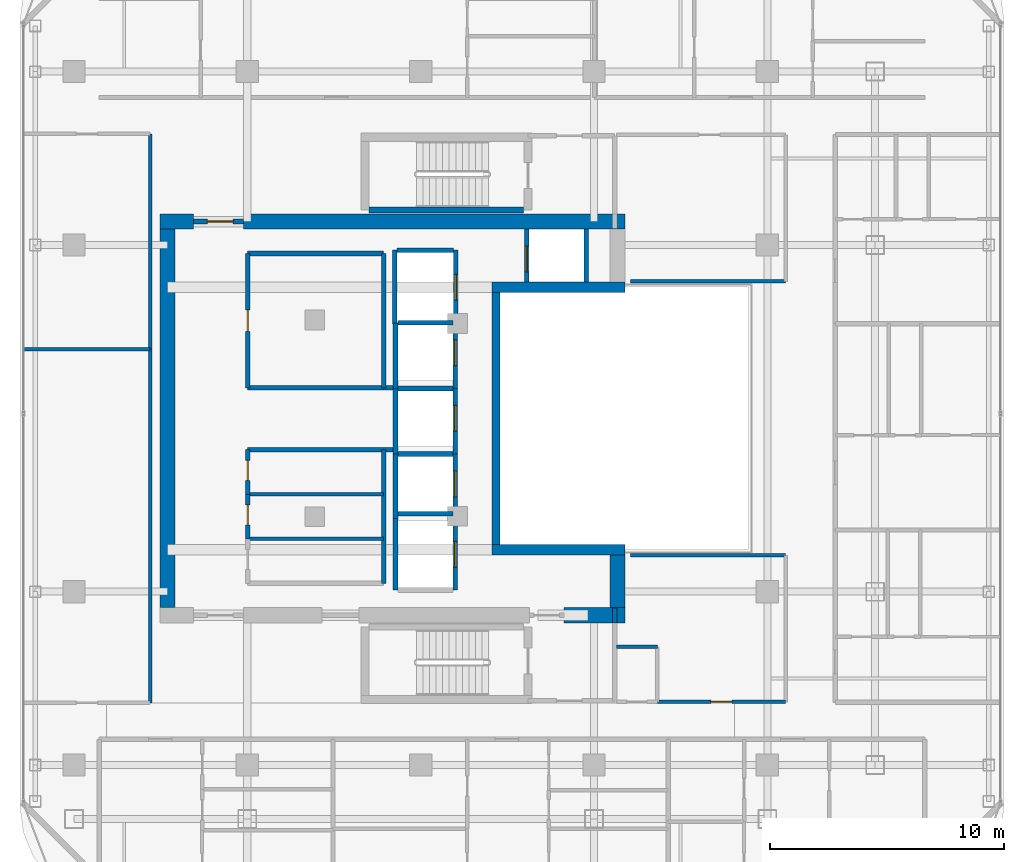
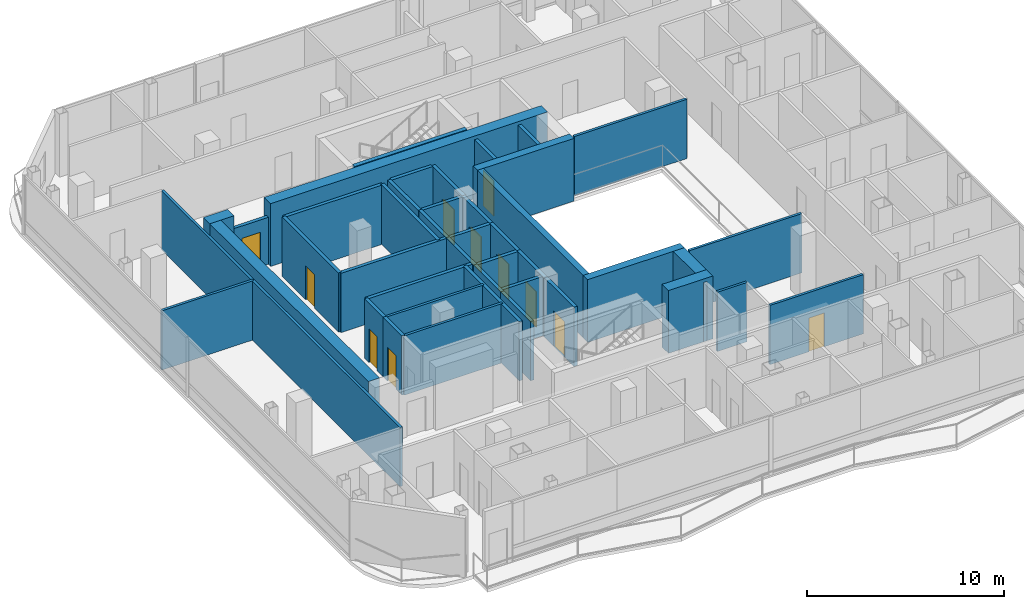
# One storey, part 18 of 24: 45 walls, 11 doors, 11 openings.
"""IFC4 building model written with IfcOpenShell, lengths in metres."""

import ifcopenshell
import ifcopenshell.guid

model = None  # the IFC model being written
_history = None  # IfcOwnerHistory: only IFC2X3 demands one
_inside = {}  # id of a spatial element -> (the spatial element, [elements in it])
_under = {}  # id of a project, library or spatial element -> (it, [spatial elements below it])
_declared = {}  # id of a project -> (the project, [libraries it declares])
_typed = {}  # id of a type object -> (the type object, [elements of that type])
_made_of = {}  # id of a material, layer set ... -> (it, [elements and type objects made of it])


def new_model(schema):
    """Start an empty IFC model of exactly this schema.

    Asked for "IFC4X3", IfcOpenShell would pick the latest addendum, in which some entities
    have other attributes; the version numbers below select the first issue.
    IFC2X3 requires an IfcOwnerHistory on every rooted entity: one is made here for all.
    """
    global model, _history
    if schema == "IFC4X3":
        model = ifcopenshell.file(schema_version=(4, 3, 0, 0))
    else:
        model = ifcopenshell.file(schema=schema)
    _inside.clear()
    _under.clear()
    _declared.clear()
    _typed.clear()
    _made_of.clear()
    _history = None
    if model.schema == "IFC2X3":
        org = make("IfcOrganization", Name="unknown")
        user = make(
            "IfcPersonAndOrganization",
            ThePerson=make("IfcPerson", FamilyName="unknown"),
            TheOrganization=org,
        )
        app = make(
            "IfcApplication",
            ApplicationDeveloper=org,
            Version="unknown",
            ApplicationFullName="unknown",
            ApplicationIdentifier="unknown",
        )
        _history = make(
            "IfcOwnerHistory",
            OwningUser=user,
            OwningApplication=app,
            ChangeAction="ADDED",
            CreationDate=0,
        )
    return model


def make(cls, **values):
    """One entity of the class cls with the attributes given. An attribute that is None is left unset."""
    return model.create_entity(
        cls, **{name: value for name, value in values.items() if value is not None}
    )


def rooted(cls, **values):
    """An entity with a GlobalId (a new one), such as an element, a storey or a relation."""
    return make(cls, GlobalId=ifcopenshell.guid.new(), OwnerHistory=_history, **values)


def si_unit(unit_type, name, prefix=None):
    """IfcSIUnit, for example si_unit("LENGTHUNIT", "METRE", prefix="MILLI")."""
    return make("IfcSIUnit", UnitType=unit_type, Prefix=prefix, Name=name)


def assignment(units):
    """IfcUnitAssignment: the units of a project."""
    return None if units is None else make("IfcUnitAssignment", Units=units)


def point(xyz):
    """IfcCartesianPoint."""
    return None if xyz is None else make("IfcCartesianPoint", Coordinates=xyz)


def direction(xyz):
    """IfcDirection."""
    return None if xyz is None else make("IfcDirection", DirectionRatios=xyz)


def frame(location, z_axis=None, x_axis=None):
    """IfcAxis2Placement3D, a coordinate frame: its origin and axes. An axis left out is left unset."""
    return make(
        "IfcAxis2Placement3D",
        Location=point(location),
        Axis=direction(z_axis),
        RefDirection=direction(x_axis),
    )


def frame_2d(location, x_axis=None):
    """IfcAxis2Placement2D, a coordinate frame in the plane: its origin and x axis."""
    return make(
        "IfcAxis2Placement2D", Location=point(location), RefDirection=direction(x_axis)
    )


def origin():
    """The frame at (0, 0, 0) with its axes left unset."""
    return frame((0.0, 0.0, 0.0))


def place(relative_to, where):
    """IfcLocalPlacement: puts the frame where relative to a parent placement (None: the world)."""
    return make(
        "IfcLocalPlacement", PlacementRelTo=relative_to, RelativePlacement=where
    )


def context(
    kind, dimensions, precision=None, world=None, true_north=None, identifier=None
):
    """IfcGeometricRepresentationContext, for example the 3D "Model" context."""
    return make(
        "IfcGeometricRepresentationContext",
        ContextIdentifier=identifier,
        ContextType=kind,
        CoordinateSpaceDimension=dimensions,
        Precision=precision,
        WorldCoordinateSystem=world,
        TrueNorth=true_north,
    )


def subcontext(parent, identifier, kind, view, scale=None):
    """IfcGeometricRepresentationSubContext, for example "Body" below "Model"."""
    return make(
        "IfcGeometricRepresentationSubContext",
        ContextIdentifier=identifier,
        ContextType=kind,
        ParentContext=parent,
        TargetScale=scale,
        TargetView=view,
    )


def project(units=None, contexts=None):
    """IfcProject with its units and contexts."""
    return rooted(
        "IfcProject",
        Name="project",
        RepresentationContexts=contexts,
        UnitsInContext=assignment(units),
    )


def spatial(cls, under=None, at=None, **own):
    """A site, building, storey or space (cls), placed at a placement, below another one or the project."""
    s = rooted(cls, ObjectPlacement=at, **own)
    if under is not None:
        _under.setdefault(under.id(), (under, []))[1].append(s)
    return s


def profile(cls, at=None, kind="AREA", **sizes):
    """A parametric profile (cls). Its sizes go by their IFC names, for example OverallWidth=200.0."""
    return make(cls, ProfileType=kind, Position=at, **sizes)


def rectangle(**sizes):
    """IfcRectangleProfileDef."""
    return profile("IfcRectangleProfileDef", **sizes)


def extrude(swept, where, along, depth):
    """IfcExtrudedAreaSolid: the profile swept, set in the frame where, extruded along a direction by depth."""
    return make(
        "IfcExtrudedAreaSolid",
        SweptArea=swept,
        Position=where,
        ExtrudedDirection=direction(along),
        Depth=depth,
    )


def shape(context_of_items, identifier, shape_type, items):
    """IfcShapeRepresentation: the items that make up one representation, for example the "Body"."""
    return make(
        "IfcShapeRepresentation",
        ContextOfItems=context_of_items,
        RepresentationIdentifier=identifier,
        RepresentationType=shape_type,
        Items=items,
    )


def material(Name=None, Category=None):
    """IfcMaterial."""
    return make("IfcMaterial", Name=Name, Category=Category)


def layer(
    of_material, thickness, ventilated=None, Name=None, Category=None, Priority=None
):
    """IfcMaterialLayer: one layer of a wall or slab, of a material (None: an air gap)."""
    return make(
        "IfcMaterialLayer",
        Material=of_material,
        LayerThickness=thickness,
        IsVentilated=ventilated,
        Name=Name,
        Category=Category,
        Priority=Priority,
    )


def layer_set(layers, Name=None):
    """IfcMaterialLayerSet."""
    return make("IfcMaterialLayerSet", MaterialLayers=layers, LayerSetName=Name)


def made_of(thing, what):
    """Note that an element or type object is made of a material, layer set ...; save() writes the relation."""
    if what is not None:
        _made_of.setdefault(what.id(), (what, []))[1].append(thing)
    return thing


def type_object(cls, material=None, **own):
    """A type object (cls), such as IfcWallType, which elements share."""
    return made_of(rooted(cls, **own), material)


def element(
    cls,
    number,
    at=None,
    inside=None,
    cuts=None,
    type_object=None,
    material=None,
    context=None,
    identifier="Body",
    shape_type=None,
    held_by="IfcProductDefinitionShape",
    body=None,
    shapes=None,
    **own,
):
    """One element of the class cls, such as IfcWall. Its Tag is "e" and its number.

    at: its placement. inside: the storey or other place that contains it. cuts: it is an
    opening in that element (IfcRelVoidsElement). A single representation is given by context,
    identifier, shape_type and body (its items); several are given by shapes. held_by: the class
    of the entity that holds the representations. save() writes the other relations.
    """
    e = rooted(cls, Tag="e%d" % number, ObjectPlacement=at, **own)
    if body is not None:
        shapes = [shape(context, identifier, shape_type, body)]
    if shapes is not None:
        e.Representation = make(held_by, Representations=shapes)
    if inside is not None:
        _inside.setdefault(inside.id(), (inside, []))[1].append(e)
    if cuts is not None:
        rooted(
            "IfcRelVoidsElement", RelatingBuildingElement=cuts, RelatedOpeningElement=e
        )
    if type_object is not None:
        _typed.setdefault(type_object.id(), (type_object, []))[1].append(e)
    return made_of(e, material)


def fill(opening, filler):
    """IfcRelFillsElement: the door or window that sits in an opening."""
    return rooted(
        "IfcRelFillsElement",
        RelatingOpeningElement=opening,
        RelatedBuildingElement=filler,
    )


def aggregate(whole, parts):
    """IfcRelAggregates: a whole, such as a stair, and the parts it consists of."""
    return rooted("IfcRelAggregates", RelatingObject=whole, RelatedObjects=parts)


def save(model, path):
    """Write the relations noted so far, then the file.

    IfcRelAggregates (storeys below a building ...), IfcRelContainedInSpatialStructure (elements
    in a storey), IfcRelDefinesByType, IfcRelAssociatesMaterial and IfcRelDeclares: one each for
    every whole, place, type object, material and project.
    """
    for whole, parts in _under.values():
        aggregate(whole, parts)
    for where, things in _inside.values():
        rooted(
            "IfcRelContainedInSpatialStructure",
            RelatedElements=things,
            RelatingStructure=where,
        )
    for kind, things in _typed.values():
        rooted("IfcRelDefinesByType", RelatedObjects=things, RelatingType=kind)
    for what, things in _made_of.values():
        rooted("IfcRelAssociatesMaterial", RelatedObjects=things, RelatingMaterial=what)
    for by, libraries in _declared.values():
        rooted("IfcRelDeclares", RelatingContext=by, RelatedDefinitions=libraries)
    model.write(path)


model = new_model("IFC4")

# Units and contexts
model_context = context("Model", 3, precision=1e-05, world=origin(), true_north=direction((0.0, 1.0)))
body_context = subcontext(model_context, "Body", "Model", "MODEL_VIEW")
ifc_project = project(units=[si_unit("LENGTHUNIT", "METRE"), si_unit("AREAUNIT", "SQUARE_METRE"), si_unit("VOLUMEUNIT", "CUBIC_METRE"), si_unit("PLANEANGLEUNIT", "RADIAN"), si_unit("MASSUNIT", "GRAM", prefix="KILO")], contexts=[model_context])

# Site, building, storey
site_placement = place(None, origin())
site = spatial("IfcSite", under=ifc_project, at=site_placement, CompositionType="ELEMENT")
building_placement = place(site_placement, origin())
building = spatial("IfcBuilding", under=site, at=building_placement, Name="Khorvyn Point Tower", CompositionType="ELEMENT")
storey_placement = place(building_placement, frame((0.0, 0.0, 266.39990234375)))
storey = spatial("IfcBuildingStorey", under=building, at=storey_placement, Name="L65", CompositionType="ELEMENT", Elevation=266.39990234375)

# Walls
ifc_material_1 = material(Name="Concrete C40/50", Category="concrete")
ifc_layer_1 = layer(ifc_material_1, 0.449951171875)
ifc_layer_set_1 = layer_set([ifc_layer_1], Name="Concrete C40/50 Core Shear Wall 450")
wall_type_1 = type_object("IfcWallType", Name="Concrete C40/50 Core Shear Wall 450", PredefinedType="SHEAR", material=ifc_layer_set_1)
for number, where, z_axis, x_axis, name in (
    (1, (3.044921875, -5.60009765625, 0.0), (0.0, 0.0, 1.0), (1.0, 0.0, 0.0), "Wall"),
    (2, (3.044921875, 5.60009765625, 0.0), (0.0, 0.0, 1.0), (1.0, 0.0, 0.0), "Wall"),
):
    element("IfcWall", number, at=place(storey_placement, frame(where, z_axis=z_axis, x_axis=x_axis)), inside=storey, type_object=wall_type_1, Name=name, PredefinedType="SHEAR", context=body_context, shape_type="SweptSolid", body=[
        extrude(rectangle(XDim=5.68017578125, YDim=0.449951171875, at=frame_2d((2.840087890625, 0.0))), origin(), (0.0, 0.0, 1.0), 3.900146484375),
    ])
ifc_layer_2 = layer(ifc_material_1, 0.64990234375)
ifc_layer_set_2 = layer_set([ifc_layer_2], Name="Concrete C40/50 Core Shear Wall 650")
wall_type_2 = type_object("IfcWallType", Name="Concrete C40/50 Core Shear Wall 650", PredefinedType="SHEAR", material=ifc_layer_set_2)
wall_1_placement = place(storey_placement, frame((6.1201171875, -8.39990234375, 0.0), z_axis=(0.0, 0.0, 1.0), x_axis=(1.0, 0.0, 0.0)))
element("IfcWall", 3, at=wall_1_placement, inside=storey, type_object=wall_type_2, Name="Wall", PredefinedType="SHEAR", context=body_context, shape_type="SweptSolid", body=[
    extrude(rectangle(XDim=2.60498046875, YDim=0.64990234375, at=frame_2d((1.302490234375, 0.0))), origin(), (0.0, 0.0, 1.0), 3.900146484375),
])
wall_2_placement = place(storey_placement, frame((-11.125, 8.39990234375, 0.0), z_axis=(0.0, 0.0, 1.0), x_axis=(1.0, 0.0, 0.0)))
element("IfcWall", 4, at=wall_2_placement, inside=storey, type_object=wall_type_2, Name="Wall", PredefinedType="SHEAR", context=body_context, shape_type="SweptSolid", body=[
    extrude(rectangle(XDim=1.425048828125, YDim=0.64990234375, at=frame_2d((0.71240234375, 0.0))), origin(), (0.0, 0.0, 1.0), 3.900146484375),
])
wall_3_placement = place(storey_placement, frame((-7.550048828125, 8.39990234375, 0.0), z_axis=(0.0, 0.0, 1.0), x_axis=(1.0, 0.0, 0.0)))
element("IfcWall", 5, at=wall_3_placement, inside=storey, type_object=wall_type_2, Name="Wall", PredefinedType="SHEAR", context=body_context, shape_type="SweptSolid", body=[
    extrude(rectangle(XDim=16.275146484375, YDim=0.64990234375, at=frame_2d((8.1376953125, 0.0))), origin(), (0.0, 0.0, 1.0), 3.900146484375),
])
wall_4_placement = place(storey_placement, frame((-10.800048828125, -8.074951171875, 0.0), z_axis=(0.0, 0.0, 1.0), x_axis=(0.0, 1.0, 0.0)))
element("IfcWall", 6, at=wall_4_placement, inside=storey, type_object=wall_type_2, Name="Wall", PredefinedType="SHEAR", context=body_context, shape_type="SweptSolid", body=[
    extrude(rectangle(XDim=16.14990234375, YDim=0.64990234375, at=frame_2d((8.074951171875, 0.0))), origin(), (0.0, 0.0, 1.0), 3.900146484375),
])
wall_5_placement = place(storey_placement, frame((8.39990234375, -8.074951171875, 0.0), z_axis=(0.0, 0.0, 1.0), x_axis=(0.0, 1.0, 0.0)))
element("IfcWall", 7, at=wall_5_placement, inside=storey, type_object=wall_type_2, Name="Wall", PredefinedType="SHEAR", context=body_context, shape_type="SweptSolid", body=[
    extrude(rectangle(XDim=2.25, YDim=0.64990234375, at=frame_2d((1.125, 0.0))), origin(), (0.0, 0.0, 1.0), 3.900146484375),
])

# Wall, opening, door
ifc_layer_3 = layer(ifc_material_1, 0.199951171875)
ifc_layer_set_3 = layer_set([ifc_layer_3], Name="Concrete C40/50 Fire-Lobby Compartment Wall 200")
wall_type_3 = type_object("IfcWallType", Name="Concrete C40/50 Fire-Lobby Compartment Wall 200", PredefinedType="SOLIDWALL", material=ifc_layer_set_3)
wall_6_placement = place(storey_placement, frame((-9.699951171875, 8.39990234375, 0.0), z_axis=(0.0, 0.0, 1.0), x_axis=(1.0, 0.0, 0.0)))
wall_6 = element("IfcWall", 8, at=wall_6_placement, inside=storey, type_object=wall_type_3, Name="Wall", PredefinedType="SOLIDWALL", context=body_context, shape_type="SweptSolid", body=[
    extrude(rectangle(XDim=2.14990234375, YDim=0.199951171875, at=frame_2d((1.074951171875, 0.0))), origin(), (0.0, 0.0, 1.0), 2.920166015625),
])
opening_1_placement = place(wall_6_placement, frame((0.597900390625, 0.0, 0.0)))
opening_1 = element("IfcOpeningElement", 9, at=opening_1_placement, cuts=wall_6, Name="Opening ID-FL90", PredefinedType="OPENING", context=body_context, shape_type="SweptSolid", body=[
    extrude(rectangle(XDim=1.10009765625, YDim=2.14990234375, at=frame_2d((0.550048828125, 1.074951171875))), frame((0.0, 0.10986328125, 0.0), z_axis=(0.0, -1.0, 0.0), x_axis=(1.0, 0.0, 0.0)), (0.0, 0.0, 1.0), 0.219970703125),
])
ifc_material_2 = material(Name="Galvanised powder-coated steel", Category="steel")
door_type_1 = type_object("IfcDoorType", Name="Fire-Rated Steel Lobby and Stair Door 1100x2150", OperationType="NOTDEFINED", PredefinedType="DOOR", material=ifc_material_2)
door_1_placement = place(opening_1_placement, origin())
door_1 = element("IfcDoor", 10, at=door_1_placement, inside=storey, type_object=door_type_1, Name="Door", OperationType="SINGLE_SWING_LEFT", OverallHeight=2.14990234375, OverallWidth=1.10009765625, PredefinedType="DOOR", context=body_context, shape_type="SweptSolid", body=[
    extrude(rectangle(XDim=1.10009765625, YDim=2.14990234375, at=frame_2d((0.550048828125, 1.074951171875))), frame((0.0, 0.02490234375, 0.0), z_axis=(0.0, -1.0, 0.0), x_axis=(1.0, 0.0, 0.0)), (0.0, 0.0, 1.0), 0.050048828125),
])
fill(opening_1, door_1)

wall_7_placement = place(storey_placement, frame((-7.3798828125, -5.139892578125, 0.0), z_axis=(0.0, 0.0, 1.0), x_axis=(0.0, 1.0, 0.0)))
wall_7 = element("IfcWall", 11, at=wall_7_placement, inside=storey, type_object=wall_type_3, Name="Wall", PredefinedType="SOLIDWALL", context=body_context, shape_type="SweptSolid", body=[
    extrude(rectangle(XDim=1.89990234375, YDim=0.199951171875, at=frame_2d((0.949951171875, 0.0))), origin(), (0.0, 0.0, 1.0), 3.68017578125),
])
opening_2_placement = place(wall_7_placement, frame((0.597900390625, 0.0, 0.0)))
opening_2 = element("IfcOpeningElement", 12, at=opening_2_placement, cuts=wall_7, Name="Opening ID-WC85", PredefinedType="OPENING", context=body_context, shape_type="SweptSolid", body=[
    extrude(rectangle(XDim=0.85009765625, YDim=2.10009765625, at=frame_2d((0.425048828125, 1.050048828125))), frame((0.0, 0.10986328125, 0.0), z_axis=(0.0, -1.0, 0.0), x_axis=(1.0, 0.0, 0.0)), (0.0, 0.0, 1.0), 0.219970703125),
])
ifc_material_3 = material(Name="High-pressure laminate on moisture-resistant core", Category="wood")
door_type_2 = type_object("IfcDoorType", Name="Moisture-Resistant Accessible Washroom Door 850x2100", OperationType="NOTDEFINED", PredefinedType="DOOR", material=ifc_material_3)
door_2_placement = place(opening_2_placement, origin())
door_2 = element("IfcDoor", 13, at=door_2_placement, inside=storey, type_object=door_type_2, Name="Door", OperationType="SINGLE_SWING_LEFT", OverallHeight=2.10009765625, OverallWidth=0.85009765625, PredefinedType="DOOR", context=body_context, shape_type="SweptSolid", body=[
    extrude(rectangle(XDim=0.85009765625, YDim=2.10009765625, at=frame_2d((0.425048828125, 1.050048828125))), frame((0.0, 0.02490234375, 0.0), z_axis=(0.0, -1.0, 0.0), x_axis=(1.0, 0.0, 0.0)), (0.0, 0.0, 1.0), 0.050048828125),
])
fill(opening_2, door_2)

wall_8_placement = place(storey_placement, frame((-7.3798828125, -3.239990234375, 0.0), z_axis=(0.0, 0.0, 1.0), x_axis=(0.0, 1.0, 0.0)))
wall_8 = element("IfcWall", 14, at=wall_8_placement, inside=storey, type_object=wall_type_3, Name="Wall", PredefinedType="SOLIDWALL", context=body_context, shape_type="SweptSolid", body=[
    extrude(rectangle(XDim=1.89990234375, YDim=0.199951171875, at=frame_2d((0.949951171875, 0.0))), origin(), (0.0, 0.0, 1.0), 3.68017578125),
])
opening_3_placement = place(wall_8_placement, frame((0.597900390625, 0.0, 0.0)))
opening_3 = element("IfcOpeningElement", 15, at=opening_3_placement, cuts=wall_8, Name="Opening ID-WC85", PredefinedType="OPENING", context=body_context, shape_type="SweptSolid", body=[
    extrude(rectangle(XDim=0.85009765625, YDim=2.10009765625, at=frame_2d((0.425048828125, 1.050048828125))), frame((0.0, 0.10986328125, 0.0), z_axis=(0.0, -1.0, 0.0), x_axis=(1.0, 0.0, 0.0)), (0.0, 0.0, 1.0), 0.219970703125),
])
door_3_placement = place(opening_3_placement, origin())
door_3 = element("IfcDoor", 16, at=door_3_placement, inside=storey, type_object=door_type_2, Name="Door", OperationType="SINGLE_SWING_RIGHT", OverallHeight=2.10009765625, OverallWidth=0.85009765625, PredefinedType="DOOR", context=body_context, shape_type="SweptSolid", body=[
    extrude(rectangle(XDim=0.85009765625, YDim=2.10009765625, at=frame_2d((0.425048828125, 1.050048828125))), frame((0.0, 0.02490234375, 0.0), z_axis=(0.0, -1.0, 0.0), x_axis=(1.0, 0.0, 0.0)), (0.0, 0.0, 1.0), 0.050048828125),
])
fill(opening_3, door_3)

wall_9_placement = place(storey_placement, frame((-7.3798828125, 1.300048828125, 0.0), z_axis=(0.0, 0.0, 1.0), x_axis=(0.0, 1.0, 0.0)))
wall_9 = element("IfcWall", 17, at=wall_9_placement, inside=storey, type_object=wall_type_3, Name="Wall", PredefinedType="SOLIDWALL", context=body_context, shape_type="SweptSolid", body=[
    extrude(rectangle(XDim=5.739990234375, YDim=0.199951171875, at=frame_2d((2.8701171875, 0.0))), origin(), (0.0, 0.0, 1.0), 3.68017578125),
])
opening_4_placement = place(wall_9_placement, frame((2.409912109375, 0.0, 0.0)))
opening_4 = element("IfcOpeningElement", 18, at=opening_4_placement, cuts=wall_9, Name="Opening ID-RS60", PredefinedType="OPENING", context=body_context, shape_type="SweptSolid", body=[
    extrude(rectangle(XDim=0.919921875, YDim=2.10009765625, at=frame_2d((0.4599609375, 1.050048828125))), frame((0.0, 0.10986328125, 0.0), z_axis=(0.0, -1.0, 0.0), x_axis=(1.0, 0.0, 0.0)), (0.0, 0.0, 1.0), 0.219970703125),
])
door_type_3 = type_object("IfcDoorType", Name="Fire-Rated Riser and Store Steel Door 920x2100", OperationType="NOTDEFINED", PredefinedType="DOOR", material=ifc_material_2)
door_4_placement = place(opening_4_placement, origin())
door_4 = element("IfcDoor", 19, at=door_4_placement, inside=storey, type_object=door_type_3, Name="Door", OperationType="SINGLE_SWING_LEFT", OverallHeight=2.10009765625, OverallWidth=0.919921875, PredefinedType="DOOR", context=body_context, shape_type="SweptSolid", body=[
    extrude(rectangle(XDim=0.919921875, YDim=2.10009765625, at=frame_2d((0.4599609375, 1.050048828125))), frame((0.0, 0.02490234375, 0.0), z_axis=(0.0, -1.0, 0.0), x_axis=(1.0, 0.0, 0.0)), (0.0, 0.0, 1.0), 0.050048828125),
])
fill(opening_4, door_4)

# Walls
for number, where, z_axis, x_axis, name in (
    (20, (-7.3798828125, -1.340087890625, 0.0), (0.0, 0.0, 1.0), (1.0, 0.0, 0.0), "Wall"),
    (21, (-7.3798828125, 1.300048828125, 0.0), (0.0, 0.0, 1.0), (1.0, 0.0, 0.0), "Wall"),
):
    element("IfcWall", number, at=place(storey_placement, frame(where, z_axis=z_axis, x_axis=x_axis)), inside=storey, type_object=wall_type_3, Name=name, PredefinedType="SOLIDWALL", context=body_context, shape_type="SweptSolid", body=[
        extrude(rectangle(XDim=6.239990234375, YDim=0.199951171875, at=frame_2d((3.1201171875, 0.0))), origin(), (0.0, 0.0, 1.0), 3.68017578125),
    ])
wall_10_placement = place(storey_placement, frame((-1.580078125, -7.0400390625, 0.0), z_axis=(0.0, 0.0, 1.0), x_axis=(0.0, 1.0, 0.0)))
element("IfcWall", 22, at=wall_10_placement, inside=storey, type_object=wall_type_3, Name="Wall", PredefinedType="SOLIDWALL", context=body_context, shape_type="SweptSolid", body=[
    extrude(rectangle(XDim=5.699951171875, YDim=0.199951171875, at=frame_2d((2.85009765625, 0.0))), origin(), (0.0, 0.0, 1.0), 3.68017578125),
])
wall_11_placement = place(storey_placement, frame((-1.580078125, 1.300048828125, 0.0), z_axis=(0.0, 0.0, 1.0), x_axis=(0.0, 1.0, 0.0)))
element("IfcWall", 23, at=wall_11_placement, inside=storey, type_object=wall_type_3, Name="Wall", PredefinedType="SOLIDWALL", context=body_context, shape_type="SweptSolid", body=[
    extrude(rectangle(XDim=5.739990234375, YDim=0.199951171875, at=frame_2d((2.8701171875, 0.0))), origin(), (0.0, 0.0, 1.0), 3.68017578125),
])
wall_12_placement = place(storey_placement, frame((-7.3798828125, 7.0400390625, 0.0), z_axis=(0.0, 0.0, 1.0), x_axis=(1.0, 0.0, 0.0)))
element("IfcWall", 24, at=wall_12_placement, inside=storey, type_object=wall_type_3, Name="Wall", PredefinedType="SOLIDWALL", context=body_context, shape_type="SweptSolid", body=[
    extrude(rectangle(XDim=5.7998046875, YDim=0.199951171875, at=frame_2d((2.89990234375, 0.0))), origin(), (0.0, 0.0, 1.0), 3.68017578125),
])
wall_13_placement = place(storey_placement, frame((8.280029296875, -8.72509765625, 0.0), z_axis=(0.0, 0.0, 1.0), x_axis=(0.0, 1.0, 0.0)))
element("IfcWall", 25, at=wall_13_placement, inside=storey, type_object=wall_type_3, Name="Wall", PredefinedType="SOLIDWALL", context=body_context, shape_type="SweptSolid", body=[
    extrude(rectangle(XDim=0.625, YDim=0.199951171875, at=frame_2d((0.3125, 0.0))), origin(), (0.0, 0.0, 1.0), 3.68017578125),
])
ifc_layer_4 = layer(ifc_material_1, 0.25)
ifc_layer_set_4 = layer_set([ifc_layer_4], Name="Concrete C40/50 Stair Inner Cheek Structural Wall 250")
wall_type_4 = type_object("IfcWallType", Name="Concrete C40/50 Stair Inner Cheek Structural Wall 250", PredefinedType="SHEAR", material=ifc_layer_set_4)
wall_14_placement = place(storey_placement, frame((-2.199951171875, 8.89990234375, 0.0), z_axis=(0.0, 0.0, 1.0), x_axis=(1.0, 0.0, 0.0)))
element("IfcWall", 26, at=wall_14_placement, inside=storey, type_object=wall_type_4, Name="Wall", PredefinedType="SHEAR", context=body_context, shape_type="SweptSolid", body=[
    extrude(rectangle(XDim=6.599853515625, YDim=0.25, at=frame_2d((3.2998046875, 0.0))), origin(), (0.0, 0.0, 1.0), 3.900146484375),
])
ifc_layer_5 = layer(ifc_material_1, 0.35009765625)
ifc_layer_set_5 = layer_set([ifc_layer_5], Name="Concrete C40/50 Stair Shaft Structural Wall 350")
wall_type_5 = type_object("IfcWallType", Name="Concrete C40/50 Stair Shaft Structural Wall 350", PredefinedType="SHEAR", material=ifc_layer_set_5)
wall_15_placement = place(storey_placement, frame((3.219970703125, -5.375, 0.0), z_axis=(0.0, 0.0, 1.0), x_axis=(0.0, 1.0, 0.0)))
element("IfcWall", 27, at=wall_15_placement, inside=storey, type_object=wall_type_5, Name="Wall", PredefinedType="SHEAR", context=body_context, shape_type="SweptSolid", body=[
    extrude(rectangle(XDim=10.75, YDim=0.35009765625, at=frame_2d((5.375, 0.0))), origin(), (0.0, 0.0, 1.0), 3.900146484375),
])
ifc_layer_6 = layer(ifc_material_1, 0.199951171875)
ifc_layer_set_6 = layer_set([ifc_layer_6], Name="Concrete C40/50 Structural Hoistway and Stair Shaft Wall 200")
wall_type_6 = type_object("IfcWallType", Name="Concrete C40/50 Structural Hoistway and Stair Shaft Wall 200", PredefinedType="SHEAR", material=ifc_layer_set_6)
wall_16_placement = place(storey_placement, frame((-1.074951171875, -4.27490234375, 0.0), z_axis=(0.0, 0.0, 1.0), x_axis=(0.0, 1.0, 0.0)))
element("IfcWall", 28, at=wall_16_placement, inside=storey, type_object=wall_type_6, Name="Wall", PredefinedType="SHEAR", context=body_context, shape_type="SweptSolid", body=[
    extrude(rectangle(XDim=2.75, YDim=0.199951171875, at=frame_2d((1.375, 0.0))), origin(), (0.0, 0.0, 1.0), 3.68017578125),
])

# Wall, opening, door
wall_17_placement = place(storey_placement, frame((1.47509765625, -4.27490234375, 0.0), z_axis=(0.0, 0.0, 1.0), x_axis=(0.0, 1.0, 0.0)))
wall_17 = element("IfcWall", 29, at=wall_17_placement, inside=storey, type_object=wall_type_6, Name="Wall", PredefinedType="SHEAR", context=body_context, shape_type="SweptSolid", body=[
    extrude(rectangle(XDim=2.75, YDim=0.199951171875, at=frame_2d((1.375, 0.0))), origin(), (0.0, 0.0, 1.0), 3.68017578125),
])
opening_5_placement = place(wall_17_placement, frame((0.925048828125, 0.0, 0.0)))
opening_5 = element("IfcOpeningElement", 30, at=opening_5_placement, cuts=wall_17, Name="Opening LD-1122", PredefinedType="OPENING", context=body_context, shape_type="SweptSolid", body=[
    extrude(rectangle(XDim=1.10009765625, YDim=2.199951171875, at=frame_2d((0.550048828125, 1.10009765625))), frame((0.0, 0.10986328125, 0.0), z_axis=(0.0, -1.0, 0.0), x_axis=(1.0, 0.0, 0.0)), (0.0, 0.0, 1.0), 0.219970703125),
])
ifc_material_4 = material(Name="Stainless steel 1.4301", Category="steel")
door_type_4 = type_object("IfcDoorType", Name="Stainless Steel Automatic Sliding Lift Landing Door 1100x2200", OperationType="SLIDING_TO_LEFT", PredefinedType="DOOR", material=ifc_material_4)
door_5_placement = place(opening_5_placement, origin())
door_5 = element("IfcDoor", 31, at=door_5_placement, inside=storey, type_object=door_type_4, Name="L65 RH-01 Sliding Lift Landing Door", OperationType="SLIDING_TO_LEFT", OverallHeight=2.199951171875, OverallWidth=1.10009765625, PredefinedType="DOOR", context=body_context, shape_type="SweptSolid", body=[
    extrude(rectangle(XDim=1.10009765625, YDim=2.199951171875, at=frame_2d((0.550048828125, 1.10009765625))), frame((0.0, 0.02490234375, 0.0), z_axis=(0.0, -1.0, 0.0), x_axis=(1.0, 0.0, 0.0)), (0.0, 0.0, 1.0), 0.050048828125),
])
fill(opening_5, door_5)

# Walls
for number, where, z_axis, x_axis, name in (
    (32, (-0.97509765625, -4.074951171875, 0.0), (0.0, 0.0, 1.0), (1.0, 0.0, 0.0), "Wall"),
    (33, (-0.97509765625, -1.52490234375, 0.0), (0.0, 0.0, 1.0), (1.0, 0.0, 0.0), "Wall"),
):
    element("IfcWall", number, at=place(storey_placement, frame(where, z_axis=z_axis, x_axis=x_axis)), inside=storey, type_object=wall_type_6, Name=name, PredefinedType="SHEAR", context=body_context, shape_type="SweptSolid", body=[
        extrude(rectangle(XDim=2.35009765625, YDim=0.199951171875, at=frame_2d((1.175048828125, 0.0))), origin(), (0.0, 0.0, 1.0), 3.68017578125),
    ])
wall_18_placement = place(storey_placement, frame((-1.074951171875, -1.52490234375, 0.0), z_axis=(0.0, 0.0, 1.0), x_axis=(0.0, 1.0, 0.0)))
element("IfcWall", 34, at=wall_18_placement, inside=storey, type_object=wall_type_6, Name="Wall", PredefinedType="SHEAR", context=body_context, shape_type="SweptSolid", body=[
    extrude(rectangle(XDim=2.7998046875, YDim=0.199951171875, at=frame_2d((1.39990234375, 0.0))), origin(), (0.0, 0.0, 1.0), 3.68017578125),
])

# Wall, opening, door
wall_19_placement = place(storey_placement, frame((1.47509765625, -1.52490234375, 0.0), z_axis=(0.0, 0.0, 1.0), x_axis=(0.0, 1.0, 0.0)))
wall_19 = element("IfcWall", 35, at=wall_19_placement, inside=storey, type_object=wall_type_6, Name="Wall", PredefinedType="SHEAR", context=body_context, shape_type="SweptSolid", body=[
    extrude(rectangle(XDim=2.7998046875, YDim=0.199951171875, at=frame_2d((1.39990234375, 0.0))), origin(), (0.0, 0.0, 1.0), 3.68017578125),
])
opening_6_placement = place(wall_19_placement, frame((0.97509765625, 0.0, 0.0)))
opening_6 = element("IfcOpeningElement", 36, at=opening_6_placement, cuts=wall_19, Name="Opening LD-1122", PredefinedType="OPENING", context=body_context, shape_type="SweptSolid", body=[
    extrude(rectangle(XDim=1.10009765625, YDim=2.199951171875, at=frame_2d((0.550048828125, 1.10009765625))), frame((0.0, 0.10986328125, 0.0), z_axis=(0.0, -1.0, 0.0), x_axis=(1.0, 0.0, 0.0)), (0.0, 0.0, 1.0), 0.219970703125),
])
door_6_placement = place(opening_6_placement, origin())
door_6 = element("IfcDoor", 37, at=door_6_placement, inside=storey, type_object=door_type_4, Name="L65 RH-02 Sliding Lift Landing Door", OperationType="SLIDING_TO_LEFT", OverallHeight=2.199951171875, OverallWidth=1.10009765625, PredefinedType="DOOR", context=body_context, shape_type="SweptSolid", body=[
    extrude(rectangle(XDim=1.10009765625, YDim=2.199951171875, at=frame_2d((0.550048828125, 1.10009765625))), frame((0.0, 0.02490234375, 0.0), z_axis=(0.0, -1.0, 0.0), x_axis=(1.0, 0.0, 0.0)), (0.0, 0.0, 1.0), 0.050048828125),
])
fill(opening_6, door_6)

# Walls
wall_20_placement = place(storey_placement, frame((-0.97509765625, 1.27490234375, 0.0), z_axis=(0.0, 0.0, 1.0), x_axis=(1.0, 0.0, 0.0)))
element("IfcWall", 38, at=wall_20_placement, inside=storey, type_object=wall_type_6, Name="Wall", PredefinedType="SHEAR", context=body_context, shape_type="SweptSolid", body=[
    extrude(rectangle(XDim=2.35009765625, YDim=0.199951171875, at=frame_2d((1.175048828125, 0.0))), origin(), (0.0, 0.0, 1.0), 3.68017578125),
])
wall_21_placement = place(storey_placement, frame((-1.074951171875, 1.27490234375, 0.0), z_axis=(0.0, 0.0, 1.0), x_axis=(0.0, 1.0, 0.0)))
element("IfcWall", 39, at=wall_21_placement, inside=storey, type_object=wall_type_6, Name="Wall", PredefinedType="SHEAR", context=body_context, shape_type="SweptSolid", body=[
    extrude(rectangle(XDim=2.800048828125, YDim=0.199951171875, at=frame_2d((1.39990234375, 0.0))), origin(), (0.0, 0.0, 1.0), 3.68017578125),
])

# Wall, opening, door
wall_22_placement = place(storey_placement, frame((1.47509765625, 1.27490234375, 0.0), z_axis=(0.0, 0.0, 1.0), x_axis=(0.0, 1.0, 0.0)))
wall_22 = element("IfcWall", 40, at=wall_22_placement, inside=storey, type_object=wall_type_6, Name="Wall", PredefinedType="SHEAR", context=body_context, shape_type="SweptSolid", body=[
    extrude(rectangle(XDim=2.800048828125, YDim=0.199951171875, at=frame_2d((1.39990234375, 0.0))), origin(), (0.0, 0.0, 1.0), 3.68017578125),
])
opening_7_placement = place(wall_22_placement, frame((0.97509765625, 0.0, 0.0)))
opening_7 = element("IfcOpeningElement", 41, at=opening_7_placement, cuts=wall_22, Name="Opening LD-1122", PredefinedType="OPENING", context=body_context, shape_type="SweptSolid", body=[
    extrude(rectangle(XDim=1.10009765625, YDim=2.199951171875, at=frame_2d((0.550048828125, 1.10009765625))), frame((0.0, 0.10986328125, 0.0), z_axis=(0.0, -1.0, 0.0), x_axis=(1.0, 0.0, 0.0)), (0.0, 0.0, 1.0), 0.219970703125),
])
door_7_placement = place(opening_7_placement, origin())
door_7 = element("IfcDoor", 42, at=door_7_placement, inside=storey, type_object=door_type_4, Name="L65 RH-03 Sliding Lift Landing Door", OperationType="SLIDING_TO_LEFT", OverallHeight=2.199951171875, OverallWidth=1.10009765625, PredefinedType="DOOR", context=body_context, shape_type="SweptSolid", body=[
    extrude(rectangle(XDim=1.10009765625, YDim=2.199951171875, at=frame_2d((0.550048828125, 1.10009765625))), frame((0.0, 0.02490234375, 0.0), z_axis=(0.0, -1.0, 0.0), x_axis=(1.0, 0.0, 0.0)), (0.0, 0.0, 1.0), 0.050048828125),
])
fill(opening_7, door_7)

# Walls
wall_23_placement = place(storey_placement, frame((-0.97509765625, 4.074951171875, 0.0), z_axis=(0.0, 0.0, 1.0), x_axis=(1.0, 0.0, 0.0)))
element("IfcWall", 43, at=wall_23_placement, inside=storey, type_object=wall_type_6, Name="Wall", PredefinedType="SHEAR", context=body_context, shape_type="SweptSolid", body=[
    extrude(rectangle(XDim=2.35009765625, YDim=0.199951171875, at=frame_2d((1.175048828125, 0.0))), origin(), (0.0, 0.0, 1.0), 3.68017578125),
])
wall_24_placement = place(storey_placement, frame((-1.10009765625, 4.02490234375, 0.0), z_axis=(0.0, 0.0, 1.0), x_axis=(0.0, 1.0, 0.0)))
element("IfcWall", 44, at=wall_24_placement, inside=storey, type_object=wall_type_6, Name="Wall", PredefinedType="SHEAR", context=body_context, shape_type="SweptSolid", body=[
    extrude(rectangle(XDim=3.150146484375, YDim=0.199951171875, at=frame_2d((1.5751953125, 0.0))), origin(), (0.0, 0.0, 1.0), 3.68017578125),
])

# Wall, opening, door
wall_25_placement = place(storey_placement, frame((1.5, 4.02490234375, 0.0), z_axis=(0.0, 0.0, 1.0), x_axis=(0.0, 1.0, 0.0)))
wall_25 = element("IfcWall", 45, at=wall_25_placement, inside=storey, type_object=wall_type_6, Name="Wall", PredefinedType="SHEAR", context=body_context, shape_type="SweptSolid", body=[
    extrude(rectangle(XDim=3.150146484375, YDim=0.199951171875, at=frame_2d((1.5751953125, 0.0))), origin(), (0.0, 0.0, 1.0), 3.68017578125),
])
opening_8_placement = place(wall_25_placement, frame((1.02490234375, 0.0, 0.0)))
opening_8 = element("IfcOpeningElement", 46, at=opening_8_placement, cuts=wall_25, Name="Opening LD-1122", PredefinedType="OPENING", context=body_context, shape_type="SweptSolid", body=[
    extrude(rectangle(XDim=1.10009765625, YDim=2.199951171875, at=frame_2d((0.550048828125, 1.10009765625))), frame((0.0, 0.10986328125, 0.0), z_axis=(0.0, -1.0, 0.0), x_axis=(1.0, 0.0, 0.0)), (0.0, 0.0, 1.0), 0.219970703125),
])
door_8_placement = place(opening_8_placement, origin())
door_8 = element("IfcDoor", 47, at=door_8_placement, inside=storey, type_object=door_type_4, Name="L65 SV-01 Sliding Lift Landing Door", OperationType="SLIDING_TO_LEFT", OverallHeight=2.199951171875, OverallWidth=1.10009765625, PredefinedType="DOOR", context=body_context, shape_type="SweptSolid", body=[
    extrude(rectangle(XDim=1.10009765625, YDim=2.199951171875, at=frame_2d((0.550048828125, 1.10009765625))), frame((0.0, 0.02490234375, 0.0), z_axis=(0.0, -1.0, 0.0), x_axis=(1.0, 0.0, 0.0)), (0.0, 0.0, 1.0), 0.050048828125),
])
fill(opening_8, door_8)

# Walls
wall_26_placement = place(storey_placement, frame((-1.0, 7.175048828125, 0.0), z_axis=(0.0, 0.0, 1.0), x_axis=(1.0, 0.0, 0.0)))
element("IfcWall", 48, at=wall_26_placement, inside=storey, type_object=wall_type_6, Name="Wall", PredefinedType="SHEAR", context=body_context, shape_type="SweptSolid", body=[
    extrude(rectangle(XDim=2.39990234375, YDim=0.199951171875, at=frame_2d((1.199951171875, 0.0))), origin(), (0.0, 0.0, 1.0), 3.68017578125),
])
wall_27_placement = place(storey_placement, frame((-1.074951171875, -7.324951171875, 0.0), z_axis=(0.0, 0.0, 1.0), x_axis=(0.0, 1.0, 0.0)))
element("IfcWall", 49, at=wall_27_placement, inside=storey, type_object=wall_type_6, Name="Wall", PredefinedType="SHEAR", context=body_context, shape_type="SweptSolid", body=[
    extrude(rectangle(XDim=3.050048828125, YDim=0.199951171875, at=frame_2d((1.52490234375, 0.0))), origin(), (0.0, 0.0, 1.0), 3.68017578125),
])

# Wall, opening, door
wall_28_placement = place(storey_placement, frame((1.47509765625, -7.324951171875, 0.0), z_axis=(0.0, 0.0, 1.0), x_axis=(0.0, 1.0, 0.0)))
wall_28 = element("IfcWall", 50, at=wall_28_placement, inside=storey, type_object=wall_type_6, Name="Wall", PredefinedType="SHEAR", context=body_context, shape_type="SweptSolid", body=[
    extrude(rectangle(XDim=3.050048828125, YDim=0.199951171875, at=frame_2d((1.52490234375, 0.0))), origin(), (0.0, 0.0, 1.0), 3.68017578125),
])
opening_9_placement = place(wall_28_placement, frame((0.97509765625, 0.0, 0.0)))
opening_9 = element("IfcOpeningElement", 51, at=opening_9_placement, cuts=wall_28, Name="Opening LD-1122", PredefinedType="OPENING", context=body_context, shape_type="SweptSolid", body=[
    extrude(rectangle(XDim=1.10009765625, YDim=2.199951171875, at=frame_2d((0.550048828125, 1.10009765625))), frame((0.0, 0.10986328125, 0.0), z_axis=(0.0, -1.0, 0.0), x_axis=(1.0, 0.0, 0.0)), (0.0, 0.0, 1.0), 0.219970703125),
])
door_9_placement = place(opening_9_placement, origin())
door_9 = element("IfcDoor", 52, at=door_9_placement, inside=storey, type_object=door_type_4, Name="L65 FF-01 Sliding Lift Landing Door", OperationType="SLIDING_TO_LEFT", OverallHeight=2.199951171875, OverallWidth=1.10009765625, PredefinedType="DOOR", context=body_context, shape_type="SweptSolid", body=[
    extrude(rectangle(XDim=1.10009765625, YDim=2.199951171875, at=frame_2d((0.550048828125, 1.10009765625))), frame((0.0, 0.02490234375, 0.0), z_axis=(0.0, -1.0, 0.0), x_axis=(1.0, 0.0, 0.0)), (0.0, 0.0, 1.0), 0.050048828125),
])
fill(opening_9, door_9)

wall_29_placement = place(storey_placement, frame((4.52490234375, 5.824951171875, 0.0), z_axis=(0.0, 0.0, 1.0), x_axis=(0.0, 1.0, 0.0)))
wall_29 = element("IfcWall", 53, at=wall_29_placement, inside=storey, type_object=wall_type_6, Name="Wall", PredefinedType="SHEAR", context=body_context, shape_type="SweptSolid", body=[
    extrude(rectangle(XDim=2.25, YDim=0.199951171875, at=frame_2d((1.125, 0.0))), origin(), (0.0, 0.0, 1.0), 3.68017578125),
])
opening_10_placement = place(wall_29_placement, frame((0.425048828125, 0.0, 0.0)))
opening_10 = element("IfcOpeningElement", 54, at=opening_10_placement, cuts=wall_29, Name="Opening LD-1122", PredefinedType="OPENING", context=body_context, shape_type="SweptSolid", body=[
    extrude(rectangle(XDim=1.10009765625, YDim=2.199951171875, at=frame_2d((0.550048828125, 1.10009765625))), frame((0.0, 0.10986328125, 0.0), z_axis=(0.0, -1.0, 0.0), x_axis=(1.0, 0.0, 0.0)), (0.0, 0.0, 1.0), 0.219970703125),
])
door_10_placement = place(opening_10_placement, origin())
door_10 = element("IfcDoor", 55, at=door_10_placement, inside=storey, type_object=door_type_4, Name="L65 FF-02 Sliding Lift Landing Door", OperationType="SLIDING_TO_LEFT", OverallHeight=2.199951171875, OverallWidth=1.10009765625, PredefinedType="DOOR", context=body_context, shape_type="SweptSolid", body=[
    extrude(rectangle(XDim=1.10009765625, YDim=2.199951171875, at=frame_2d((0.550048828125, 1.10009765625))), frame((0.0, 0.02490234375, 0.0), z_axis=(0.0, -1.0, 0.0), x_axis=(1.0, 0.0, 0.0)), (0.0, 0.0, 1.0), 0.050048828125),
])
fill(opening_10, door_10)

# Wall
wall_30_placement = place(storey_placement, frame((7.074951171875, 5.824951171875, 0.0), z_axis=(0.0, 0.0, 1.0), x_axis=(0.0, 1.0, 0.0)))
element("IfcWall", 56, at=wall_30_placement, inside=storey, type_object=wall_type_6, Name="Wall", PredefinedType="SHEAR", context=body_context, shape_type="SweptSolid", body=[
    extrude(rectangle(XDim=2.25, YDim=0.199951171875, at=frame_2d((1.125, 0.0))), origin(), (0.0, 0.0, 1.0), 3.68017578125),
])

# Wall, opening, door
ifc_material_5 = material(Name="Moisture-resistant gypsum and cement board", Category="gypsum")
ifc_layer_7 = layer(ifc_material_5, 0.14990234375)
ifc_layer_set_7 = layer_set([ifc_layer_7], Name="Moisture-Resistant Wet-Room Partition Wall 150")
wall_type_7 = type_object("IfcWallType", Name="Moisture-Resistant Wet-Room Partition Wall 150", PredefinedType="PARTITIONING", material=ifc_layer_set_7)
wall_31_placement = place(storey_placement, frame((10.10009765625, -12.10009765625, 0.0), z_axis=(0.0, 0.0, 1.0), x_axis=(1.0, 0.0, 0.0)))
wall_31 = element("IfcWall", 57, at=wall_31_placement, inside=storey, type_object=wall_type_7, Name="Wall", PredefinedType="PARTITIONING", context=body_context, shape_type="SweptSolid", body=[
    extrude(rectangle(XDim=5.47998046875, YDim=0.14990234375, at=frame_2d((2.739990234375, 0.0))), origin(), (0.0, 0.0, 1.0), 3.68017578125),
])
opening_11_placement = place(wall_31_placement, frame((2.2900390625, 0.0, 0.0)))
opening_11 = element("IfcOpeningElement", 58, at=opening_11_placement, cuts=wall_31, Name="Opening ID-RM90", PredefinedType="OPENING", context=body_context, shape_type="SweptSolid", body=[
    extrude(rectangle(XDim=0.89990234375, YDim=2.10009765625, at=frame_2d((0.449951171875, 1.050048828125))), frame((0.0, 0.0849609375, 0.0), z_axis=(0.0, -1.0, 0.0), x_axis=(1.0, 0.0, 0.0)), (0.0, 0.0, 1.0), 0.169921875),
])
ifc_material_6 = material(Name="Engineered oak veneer timber", Category="wood")
door_type_5 = type_object("IfcDoorType", Name="Flush Engineered Timber Room Door 900x2100", OperationType="NOTDEFINED", PredefinedType="DOOR", material=ifc_material_6)
door_11_placement = place(opening_11_placement, origin())
door_11 = element("IfcDoor", 59, at=door_11_placement, inside=storey, type_object=door_type_5, Name="Door", OperationType="SINGLE_SWING_LEFT", OverallHeight=2.10009765625, OverallWidth=0.89990234375, PredefinedType="DOOR", context=body_context, shape_type="SweptSolid", body=[
    extrude(rectangle(XDim=0.89990234375, YDim=2.10009765625, at=frame_2d((0.449951171875, 1.050048828125))), frame((0.0, 0.02490234375, 0.0), z_axis=(0.0, -1.0, 0.0), x_axis=(1.0, 0.0, 0.0)), (0.0, 0.0, 1.0), 0.050048828125),
])
fill(opening_11, door_11)

# Walls
for number, where, z_axis, x_axis, name in (
    (60, (-7.3798828125, -5.139892578125, 0.0), (0.0, 0.0, 1.0), (1.0, 0.0, 0.0), "Wall"),
    (61, (-7.3798828125, -3.239990234375, 0.0), (0.0, 0.0, 1.0), (1.0, 0.0, 0.0), "Wall"),
):
    element("IfcWall", number, at=place(storey_placement, frame(where, z_axis=z_axis, x_axis=x_axis)), inside=storey, type_object=wall_type_7, Name=name, PredefinedType="PARTITIONING", context=body_context, shape_type="SweptSolid", body=[
        extrude(rectangle(XDim=5.7998046875, YDim=0.14990234375, at=frame_2d((2.89990234375, 0.0))), origin(), (0.0, 0.0, 1.0), 3.68017578125),
    ])
wall_32_placement = place(storey_placement, frame((8.360107421875, -9.75, 0.0), z_axis=(0.0, 0.0, 1.0), x_axis=(1.0, 0.0, 0.0)))
element("IfcWall", 62, at=wall_32_placement, inside=storey, type_object=wall_type_7, Name="Wall", PredefinedType="PARTITIONING", context=body_context, shape_type="SweptSolid", body=[
    extrude(rectangle(XDim=1.739990234375, YDim=0.14990234375, at=frame_2d((0.8701171875, 0.0))), origin(), (0.0, 0.0, 1.0), 3.68017578125),
])
for number, where, z_axis, x_axis, name in (
    (63, (8.9599609375, -5.85009765625, 0.0), (0.0, 0.0, 1.0), (1.0, 0.0, 0.0), "Wall"),
    (64, (8.9599609375, 5.85009765625, 0.0), (0.0, 0.0, 1.0), (1.0, 0.0, 0.0), "Wall"),
):
    element("IfcWall", number, at=place(storey_placement, frame(where, z_axis=z_axis, x_axis=x_axis)), inside=storey, type_object=wall_type_7, Name=name, PredefinedType="PARTITIONING", context=body_context, shape_type="SweptSolid", body=[
        extrude(rectangle(XDim=6.6201171875, YDim=0.14990234375, at=frame_2d((3.31005859375, 0.0))), origin(), (0.0, 0.0, 1.0), 3.68017578125),
    ])
wall_33_placement = place(storey_placement, frame((-16.929931640625, 2.949951171875, 0.0), z_axis=(0.0, 0.0, 1.0), x_axis=(1.0, 0.0, 0.0)))
element("IfcWall", 65, at=wall_33_placement, inside=storey, type_object=wall_type_7, Name="Wall", PredefinedType="PARTITIONING", context=body_context, shape_type="SweptSolid", body=[
    extrude(rectangle(XDim=5.3798828125, YDim=0.14990234375, at=frame_2d((2.68994140625, 0.0))), origin(), (0.0, 0.0, 1.0), 3.68017578125),
])
wall_34_placement = place(storey_placement, frame((-11.550048828125, -12.139892578125, 0.0), z_axis=(0.0, 0.0, 1.0), x_axis=(0.0, 1.0, 0.0)))
element("IfcWall", 66, at=wall_34_placement, inside=storey, type_object=wall_type_7, Name="Wall", PredefinedType="PARTITIONING", context=body_context, shape_type="SweptSolid", body=[
    extrude(rectangle(XDim=15.08984375, YDim=0.14990234375, at=frame_2d((7.544921875, 0.0))), origin(), (0.0, 0.0, 1.0), 3.68017578125),
])
wall_35_placement = place(storey_placement, frame((-11.550048828125, 2.949951171875, 0.0), z_axis=(0.0, 0.0, 1.0), x_axis=(0.0, 1.0, 0.0)))
element("IfcWall", 67, at=wall_35_placement, inside=storey, type_object=wall_type_7, Name="Wall", PredefinedType="PARTITIONING", context=body_context, shape_type="SweptSolid", body=[
    extrude(rectangle(XDim=9.18994140625, YDim=0.14990234375, at=frame_2d((4.594970703125, 0.0))), origin(), (0.0, 0.0, 1.0), 3.68017578125),
])

save(model, "model.ifc")
